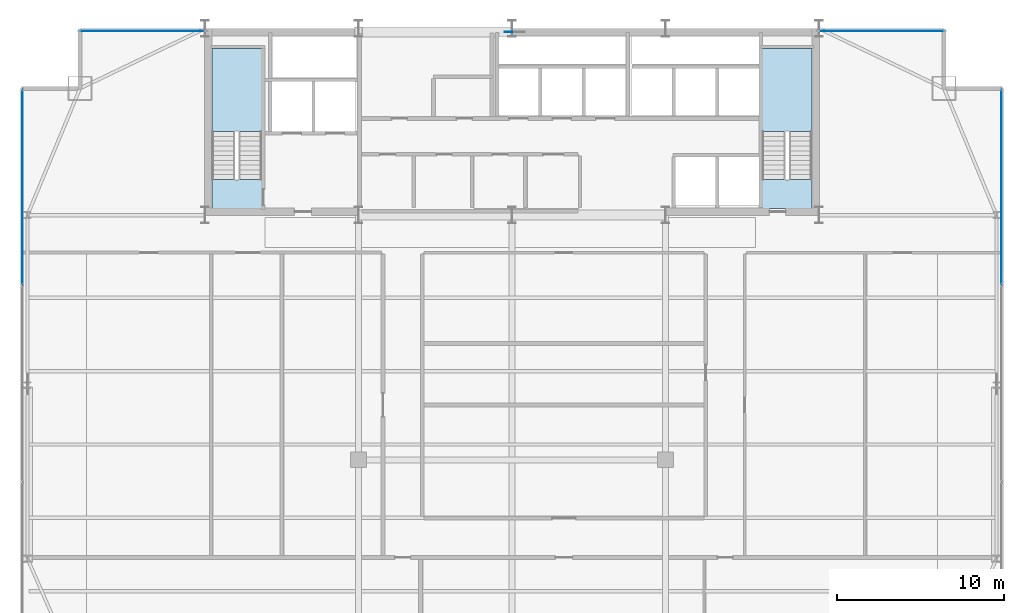
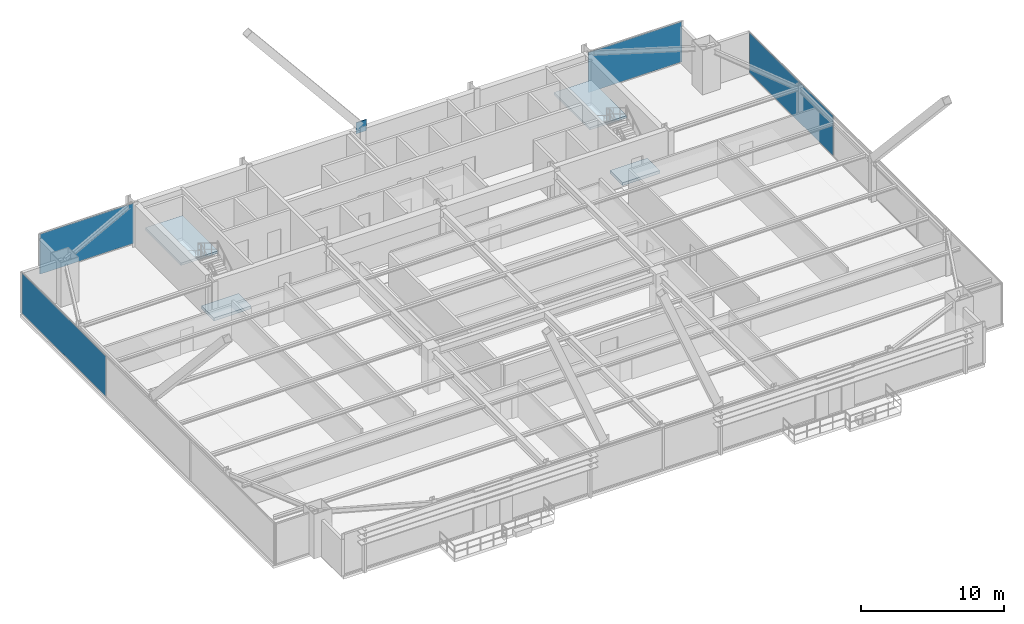
# One storey, part 30 of 37: 5 plates, 4 slabs, 6 elements without a shape of their own.
"""IFC4 building model written with IfcOpenShell, lengths in metres."""

from ifc_helpers import new_model, si_unit, direction, frame, origin, origin_2d, place, context, subcontext, project, spatial, polyline, rectangle, outline, extrude, source, transform, mapped, material, layer, layer_set, type_object, type_shapes, element, aggregate, save


model = new_model("IFC4")

# Units and contexts
model_context = context("Model", 3, precision=1e-05, world=origin(), true_north=direction((0.0, 1.0)))
body_context = subcontext(model_context, "Body", "Model", "MODEL_VIEW")
ifc_project = project(units=[si_unit("LENGTHUNIT", "METRE"), si_unit("AREAUNIT", "SQUARE_METRE"), si_unit("VOLUMEUNIT", "CUBIC_METRE"), si_unit("PLANEANGLEUNIT", "RADIAN"), si_unit("MASSUNIT", "GRAM", prefix="KILO")], contexts=[model_context])

# Site, building, storey
site_placement = place(None, origin())
site = spatial("IfcSite", under=ifc_project, at=site_placement, CompositionType="ELEMENT")
building_placement = place(site_placement, origin())
building = spatial("IfcBuilding", under=site, at=building_placement, Name="Varnel Quay Broadcast Tower", CompositionType="ELEMENT")
storey_placement = place(building_placement, frame((0.0, 0.0, 125.800048828125)))
storey = spatial("IfcBuildingStorey", under=building, at=storey_placement, Name="L30", CompositionType="ELEMENT", Elevation=125.800048828125)

# Slabs
ifc_material_1 = material(Name="Concrete CSA A23.3 C50/60", Category="concrete")
ifc_layer_1 = layer(ifc_material_1, 0.25, Name="Concrete CSA A23.3 C50/60")
ifc_layer_set_1 = layer_set([ifc_layer_1], Name="Concrete CSA A23.3 C50/60")
slab_type_1 = type_object("IfcSlabType", Name="Slab_StairFloorLanding250", PredefinedType="FLOOR", material=ifc_layer_set_1)
slab_1_placement = place(storey_placement, frame((0.0, 0.0, -0.25)))
element("IfcSlab", 1, at=slab_1_placement, inside=storey, type_object=slab_type_1, Name="L30 ST-01 Structural Floor Landing Slab", PredefinedType="FLOOR", context=body_context, shape_type="SweptSolid", body=[
    extrude(outline(polyline([(19.0, 36.0), (19.0, 37.75), (16.0, 37.75), (16.0, 36.0), (19.0, 36.0)])), origin(), (0.0, 0.0, 1.0), 0.25),
])
slab_2_placement = place(storey_placement, frame((0.0, 0.0, -0.25)))
element("IfcSlab", 2, at=slab_2_placement, inside=storey, type_object=slab_type_1, Name="L30 ST-02 Structural Floor Landing Slab", PredefinedType="FLOOR", context=body_context, shape_type="SweptSolid", body=[
    extrude(outline(polyline([(52.0, 36.0), (52.0, 37.75), (49.0, 37.75), (49.0, 36.0), (52.0, 36.0)])), origin(), (0.0, 0.0, 1.0), 0.25),
])

# Stair, slab
ifc_material_2 = material(Name="Precast Structural Concrete C40/50", Category="concrete")
stair_type_1 = type_object("IfcStairType", Name="Stair_ST-01", PredefinedType="HALF_TURN_STAIR", material=ifc_material_2)
stair_1_placement = place(storey_placement, origin())
stair_1 = element("IfcStair", 3, at=stair_1_placement, inside=storey, type_object=stair_type_1, Name="L30 West Core Exit Stair 1", PredefinedType="HALF_TURN_STAIR")
ifc_layer_2 = layer(ifc_material_2, 0.199951171875, Name="Precast Structural Concrete C40/50")
ifc_layer_set_2 = layer_set([ifc_layer_2], Name="Precast Structural Concrete C40/50")
slab_type_2 = type_object("IfcSlabType", Name="Slab_StairLanding200", PredefinedType="LANDING", material=ifc_layer_set_2)
slab_3_placement = place(storey_placement, frame((0.0, 0.0, 1.699951171875)))
slab_3 = element("IfcSlab", 4, at=slab_3_placement, type_object=slab_type_2, Name="ST-01 landing 1", PredefinedType="LANDING", context=body_context, shape_type="SweptSolid", body=[
    extrude(outline(polyline([(19.0, 40.60009765625), (19.0, 45.60009765625), (16.0, 45.60009765625), (16.0, 40.60009765625), (19.0, 40.60009765625)])), origin(), (0.0, 0.0, 1.0), 0.199951171875),
])
aggregate(stair_1, [slab_3])

stair_type_2 = type_object("IfcStairType", Name="Stair_ST-02", PredefinedType="HALF_TURN_STAIR", material=ifc_material_2)
stair_2_placement = place(storey_placement, origin())
stair_2 = element("IfcStair", 5, at=stair_2_placement, inside=storey, type_object=stair_type_2, Name="L30 East Core Exit Stair 2", PredefinedType="HALF_TURN_STAIR")
slab_4_placement = place(storey_placement, frame((0.0, 0.0, 1.699951171875)))
slab_4 = element("IfcSlab", 6, at=slab_4_placement, type_object=slab_type_2, Name="ST-02 landing 1", PredefinedType="LANDING", context=body_context, shape_type="SweptSolid", body=[
    extrude(outline(polyline([(52.0, 40.60009765625), (52.0, 45.60009765625), (49.0, 45.60009765625), (49.0, 40.60009765625), (52.0, 40.60009765625)])), origin(), (0.0, 0.0, 1.0), 0.199951171875),
])
aggregate(stair_2, [slab_4])

# Plate
ifc_material_3 = material(Name="Structural Steel CSA G40.21 350WT", Category="steel")
ifc_layer_3 = layer(ifc_material_3, 0.0400390625, Name="Structural Steel CSA G40.21 350WT")
ifc_layer_set_3 = layer_set([ifc_layer_3], Name="Structural Steel CSA G40.21 350WT")
plate_type_1 = type_object("IfcPlateType", Name="Plate_MegaGusset", PredefinedType="USERDEFINED", material=ifc_layer_set_3)
shared_shape_1 = source(origin(), body_context, "Body", "SweptSolid", [
    extrude(rectangle(XDim=0.860107421875, YDim=0.0400390625, at=origin_2d()), origin(), (0.0, 0.0, 1.0), 0.951904296875),
])
type_shapes(plate_type_1, [shared_shape_1])
plate_1_placement = place(storey_placement, frame((34.0, 46.580078125, 3.1640625), z_axis=(0.0, 0.0, 1.0), x_axis=(1.0, 0.0, 0.0)))
element("IfcPlate", 7, at=plate_1_placement, inside=storey, type_object=plate_type_1, Name="Zone 2 Mega-Brace N-CT3 Central X-Crossing Gusset Plate", ObjectType="GUSSET_PLATE", PredefinedType="USERDEFINED", context=body_context, shape_type="MappedRepresentation", body=[
    mapped(shared_shape_1, transform((0.0, 0.0, 0.0), x_axis=(1.0, 0.0, 0.0), y_axis=(0.0, 1.0, 0.0), z_axis=(0.0, 0.0, 1.0), scale=1.0)),
])

# Curtain wall, plate
ifc_material_4 = material(Name="Anodised Bronze Aluminium 6063-T6", Category="aluminium")
ifc_layer_4 = layer(ifc_material_4, 0.18994140625, Name="Anodised Bronze Aluminium 6063-T6")
ifc_layer_set_4 = layer_set([ifc_layer_4], Name="Anodised Bronze Aluminium 6063-T6")
curtain_wall_type = type_object("IfcCurtainWallType", Name="CW_LowerTower", PredefinedType="NOTDEFINED", material=ifc_layer_set_4)
curtain_wall_1_placement = place(storey_placement, origin())
curtain_wall_1 = element("IfcCurtainWall", 8, at=curtain_wall_1_placement, inside=storey, type_object=curtain_wall_type, Name="L30 NW Wing Curtain Wall", PredefinedType="NOTDEFINED")
ifc_material_5 = material(Name="Triple-Glazed Bronze Low-E Architectural Glass", Category="glass")
ifc_layer_5 = layer(ifc_material_5, 0.031982421875, Name="Triple-Glazed Bronze Low-E Architectural Glass")
ifc_layer_set_5 = layer_set([ifc_layer_5], Name="Triple-Glazed Bronze Low-E Architectural Glass")
plate_type_2 = type_object("IfcPlateType", Name="Panel_CWS-02", PredefinedType="CURTAIN_PANEL", material=ifc_layer_set_5)
shared_shape_2 = source(origin(), body_context, "Body", "SweptSolid", [
    extrude(rectangle(XDim=7.5400390625, YDim=0.031982421875, at=origin_2d()), origin(), (0.0, 0.0, 1.0), 3.429931640625),
])
plate_2_placement = place(storey_placement, frame((11.860107421875, 46.64990234375, 0.06005859375), z_axis=(0.0, 0.0, 1.0), x_axis=(1.0, 0.0, 0.0)))
plate_2 = element("IfcPlate", 9, at=plate_2_placement, type_object=plate_type_2, Name="CWS-02 panel 1.1", PredefinedType="CURTAIN_PANEL", context=body_context, shape_type="MappedRepresentation", body=[
    mapped(shared_shape_2, transform((0.0, 0.0, 0.0), x_axis=(1.0, 0.0, 0.0), y_axis=(0.0, 1.0, 0.0), z_axis=(0.0, 0.0, 1.0), scale=1.0)),
])
aggregate(curtain_wall_1, [plate_2])

curtain_wall_2_placement = place(storey_placement, origin())
curtain_wall_2 = element("IfcCurtainWall", 10, at=curtain_wall_2_placement, inside=storey, type_object=curtain_wall_type, Name="L30 NE Wing Curtain Wall", PredefinedType="NOTDEFINED")
plate_3_placement = place(storey_placement, frame((56.139892578125, 46.64990234375, 0.06005859375), z_axis=(0.0, 0.0, 1.0), x_axis=(1.0, 0.0, 0.0)))
plate_3 = element("IfcPlate", 11, at=plate_3_placement, type_object=plate_type_2, Name="CWS-02 panel 1.1", PredefinedType="CURTAIN_PANEL", context=body_context, shape_type="MappedRepresentation", body=[
    mapped(shared_shape_2, transform((0.0, 0.0, 0.0), x_axis=(1.0, 0.0, 0.0), y_axis=(0.0, 1.0, 0.0), z_axis=(0.0, 0.0, 1.0), scale=1.0)),
])
aggregate(curtain_wall_2, [plate_3])

curtain_wall_3_placement = place(storey_placement, origin())
curtain_wall_3 = element("IfcCurtainWall", 12, at=curtain_wall_3_placement, inside=storey, type_object=curtain_wall_type, Name="L30 West Unitised Curtain Wall", PredefinedType="NOTDEFINED")
shared_shape_3 = source(origin(), body_context, "Body", "SweptSolid", [
    extrude(rectangle(XDim=11.695068359375, YDim=0.031982421875, at=origin_2d()), origin(), (0.0, 0.0, 1.0), 3.429931640625),
])
type_shapes(plate_type_2, [shared_shape_2, shared_shape_3])
plate_4_placement = place(storey_placement, frame((4.64990234375, 37.282470703125, 0.06005859375), z_axis=(0.0, 0.0, 1.0), x_axis=(0.0, 1.0, 0.0)))
plate_4 = element("IfcPlate", 13, at=plate_4_placement, type_object=plate_type_2, Name="CWS-02 panel 3.1", PredefinedType="CURTAIN_PANEL", context=body_context, shape_type="MappedRepresentation", body=[
    mapped(shared_shape_3, transform((0.0, 0.0, 0.0), x_axis=(1.0, 0.0, 0.0), y_axis=(0.0, 1.0, 0.0), z_axis=(0.0, 0.0, 1.0), scale=1.0)),
])
aggregate(curtain_wall_3, [plate_4])

curtain_wall_4_placement = place(storey_placement, origin())
curtain_wall_4 = element("IfcCurtainWall", 14, at=curtain_wall_4_placement, inside=storey, type_object=curtain_wall_type, Name="L30 East Unitised Curtain Wall", PredefinedType="NOTDEFINED")
plate_5_placement = place(storey_placement, frame((63.35009765625, 37.282470703125, 0.06005859375), z_axis=(0.0, 0.0, 1.0), x_axis=(0.0, 1.0, 0.0)))
plate_5 = element("IfcPlate", 15, at=plate_5_placement, type_object=plate_type_2, Name="CWS-02 panel 3.1", PredefinedType="CURTAIN_PANEL", context=body_context, shape_type="MappedRepresentation", body=[
    mapped(shared_shape_3, transform((0.0, 0.0, 0.0), x_axis=(1.0, 0.0, 0.0), y_axis=(0.0, 1.0, 0.0), z_axis=(0.0, 0.0, 1.0), scale=1.0)),
])
aggregate(curtain_wall_4, [plate_5])

save(model, "model.ifc")
